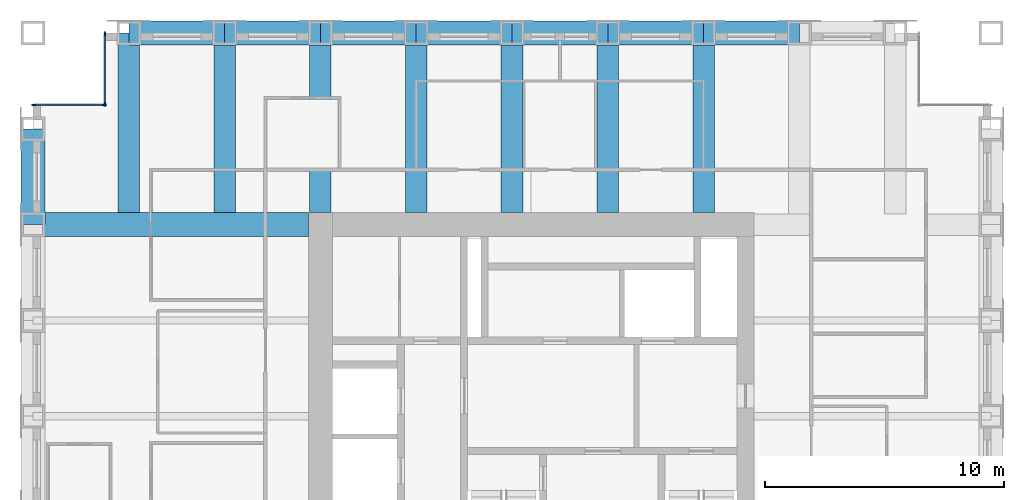
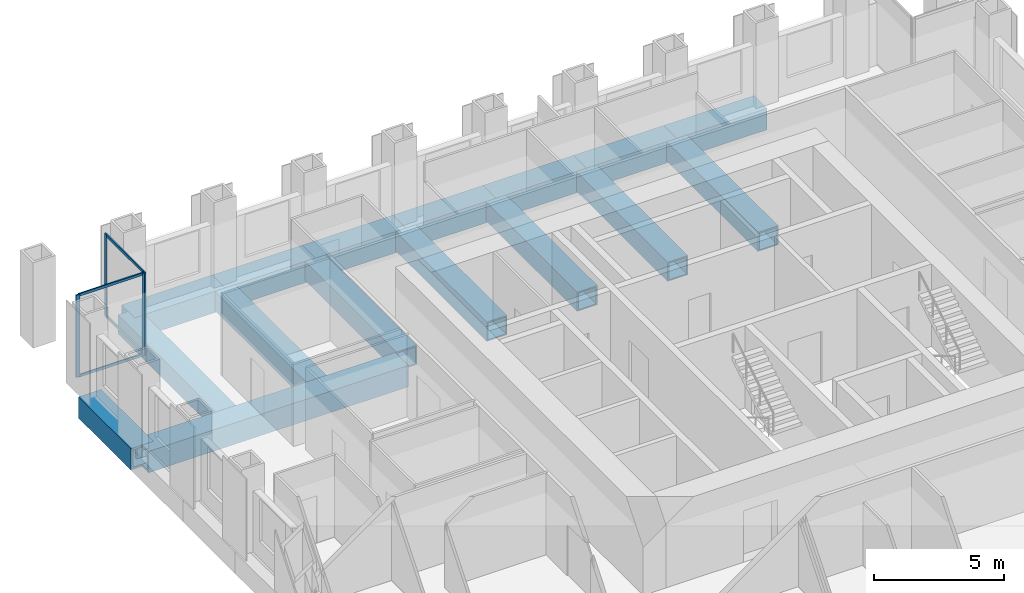
# One storey, part 5 of 13: 16 beams, 8 members, 2 elements without a shape of their own.
"""IFC4 building model written with IfcOpenShell, lengths in metres."""

import ifcopenshell
import ifcopenshell.guid

model = None  # the IFC model being written
_history = None  # IfcOwnerHistory: only IFC2X3 demands one
_inside = {}  # id of a spatial element -> (the spatial element, [elements in it])
_under = {}  # id of a project, library or spatial element -> (it, [spatial elements below it])
_declared = {}  # id of a project -> (the project, [libraries it declares])
_typed = {}  # id of a type object -> (the type object, [elements of that type])
_made_of = {}  # id of a material, layer set ... -> (it, [elements and type objects made of it])


def new_model(schema):
    """Start an empty IFC model of exactly this schema.

    Asked for "IFC4X3", IfcOpenShell would pick the latest addendum, in which some entities
    have other attributes; the version numbers below select the first issue.
    IFC2X3 requires an IfcOwnerHistory on every rooted entity: one is made here for all.
    """
    global model, _history
    if schema == "IFC4X3":
        model = ifcopenshell.file(schema_version=(4, 3, 0, 0))
    else:
        model = ifcopenshell.file(schema=schema)
    _inside.clear()
    _under.clear()
    _declared.clear()
    _typed.clear()
    _made_of.clear()
    _history = None
    if model.schema == "IFC2X3":
        org = make("IfcOrganization", Name="unknown")
        user = make(
            "IfcPersonAndOrganization",
            ThePerson=make("IfcPerson", FamilyName="unknown"),
            TheOrganization=org,
        )
        app = make(
            "IfcApplication",
            ApplicationDeveloper=org,
            Version="unknown",
            ApplicationFullName="unknown",
            ApplicationIdentifier="unknown",
        )
        _history = make(
            "IfcOwnerHistory",
            OwningUser=user,
            OwningApplication=app,
            ChangeAction="ADDED",
            CreationDate=0,
        )
    return model


def make(cls, **values):
    """One entity of the class cls with the attributes given. An attribute that is None is left unset."""
    return model.create_entity(
        cls, **{name: value for name, value in values.items() if value is not None}
    )


def rooted(cls, **values):
    """An entity with a GlobalId (a new one), such as an element, a storey or a relation."""
    return make(cls, GlobalId=ifcopenshell.guid.new(), OwnerHistory=_history, **values)


def si_unit(unit_type, name, prefix=None):
    """IfcSIUnit, for example si_unit("LENGTHUNIT", "METRE", prefix="MILLI")."""
    return make("IfcSIUnit", UnitType=unit_type, Prefix=prefix, Name=name)


def assignment(units):
    """IfcUnitAssignment: the units of a project."""
    return None if units is None else make("IfcUnitAssignment", Units=units)


def point(xyz):
    """IfcCartesianPoint."""
    return None if xyz is None else make("IfcCartesianPoint", Coordinates=xyz)


def direction(xyz):
    """IfcDirection."""
    return None if xyz is None else make("IfcDirection", DirectionRatios=xyz)


def frame(location, z_axis=None, x_axis=None):
    """IfcAxis2Placement3D, a coordinate frame: its origin and axes. An axis left out is left unset."""
    return make(
        "IfcAxis2Placement3D",
        Location=point(location),
        Axis=direction(z_axis),
        RefDirection=direction(x_axis),
    )


def frame_2d(location, x_axis=None):
    """IfcAxis2Placement2D, a coordinate frame in the plane: its origin and x axis."""
    return make(
        "IfcAxis2Placement2D", Location=point(location), RefDirection=direction(x_axis)
    )


def origin():
    """The frame at (0, 0, 0) with its axes left unset."""
    return frame((0.0, 0.0, 0.0))


def origin_2d():
    """The frame at (0, 0) in the plane with its x axis left unset."""
    return frame_2d((0.0, 0.0))


def place(relative_to, where):
    """IfcLocalPlacement: puts the frame where relative to a parent placement (None: the world)."""
    return make(
        "IfcLocalPlacement", PlacementRelTo=relative_to, RelativePlacement=where
    )


def context(
    kind, dimensions, precision=None, world=None, true_north=None, identifier=None
):
    """IfcGeometricRepresentationContext, for example the 3D "Model" context."""
    return make(
        "IfcGeometricRepresentationContext",
        ContextIdentifier=identifier,
        ContextType=kind,
        CoordinateSpaceDimension=dimensions,
        Precision=precision,
        WorldCoordinateSystem=world,
        TrueNorth=true_north,
    )


def subcontext(parent, identifier, kind, view, scale=None):
    """IfcGeometricRepresentationSubContext, for example "Body" below "Model"."""
    return make(
        "IfcGeometricRepresentationSubContext",
        ContextIdentifier=identifier,
        ContextType=kind,
        ParentContext=parent,
        TargetScale=scale,
        TargetView=view,
    )


def project(units=None, contexts=None):
    """IfcProject with its units and contexts."""
    return rooted(
        "IfcProject",
        Name="project",
        RepresentationContexts=contexts,
        UnitsInContext=assignment(units),
    )


def spatial(cls, under=None, at=None, **own):
    """A site, building, storey or space (cls), placed at a placement, below another one or the project."""
    s = rooted(cls, ObjectPlacement=at, **own)
    if under is not None:
        _under.setdefault(under.id(), (under, []))[1].append(s)
    return s


def profile(cls, at=None, kind="AREA", **sizes):
    """A parametric profile (cls). Its sizes go by their IFC names, for example OverallWidth=200.0."""
    return make(cls, ProfileType=kind, Position=at, **sizes)


def rectangle(**sizes):
    """IfcRectangleProfileDef."""
    return profile("IfcRectangleProfileDef", **sizes)


def hollow_rectangle(**sizes):
    """IfcRectangleHollowProfileDef."""
    return profile("IfcRectangleHollowProfileDef", **sizes)


def extrude(swept, where, along, depth):
    """IfcExtrudedAreaSolid: the profile swept, set in the frame where, extruded along a direction by depth."""
    return make(
        "IfcExtrudedAreaSolid",
        SweptArea=swept,
        Position=where,
        ExtrudedDirection=direction(along),
        Depth=depth,
    )


def shape(context_of_items, identifier, shape_type, items):
    """IfcShapeRepresentation: the items that make up one representation, for example the "Body"."""
    return make(
        "IfcShapeRepresentation",
        ContextOfItems=context_of_items,
        RepresentationIdentifier=identifier,
        RepresentationType=shape_type,
        Items=items,
    )


def material(Name=None, Category=None):
    """IfcMaterial."""
    return make("IfcMaterial", Name=Name, Category=Category)


def material_profile(
    of_material, cross_section, Name=None, Category=None, Priority=None
):
    """IfcMaterialProfile: a cross section and its material."""
    return make(
        "IfcMaterialProfile",
        Name=Name,
        Material=of_material,
        Profile=cross_section,
        Priority=Priority,
        Category=Category,
    )


def profile_set(profiles, Name=None, composite=None):
    """IfcMaterialProfileSet."""
    return make(
        "IfcMaterialProfileSet",
        Name=Name,
        MaterialProfiles=profiles,
        CompositeProfile=composite,
    )


def made_of(thing, what):
    """Note that an element or type object is made of a material, layer set ...; save() writes the relation."""
    if what is not None:
        _made_of.setdefault(what.id(), (what, []))[1].append(thing)
    return thing


def type_object(cls, material=None, **own):
    """A type object (cls), such as IfcWallType, which elements share."""
    return made_of(rooted(cls, **own), material)


def element(
    cls,
    number,
    at=None,
    inside=None,
    cuts=None,
    type_object=None,
    material=None,
    context=None,
    identifier="Body",
    shape_type=None,
    held_by="IfcProductDefinitionShape",
    body=None,
    shapes=None,
    **own,
):
    """One element of the class cls, such as IfcWall. Its Tag is "e" and its number.

    at: its placement. inside: the storey or other place that contains it. cuts: it is an
    opening in that element (IfcRelVoidsElement). A single representation is given by context,
    identifier, shape_type and body (its items); several are given by shapes. held_by: the class
    of the entity that holds the representations. save() writes the other relations.
    """
    e = rooted(cls, Tag="e%d" % number, ObjectPlacement=at, **own)
    if body is not None:
        shapes = [shape(context, identifier, shape_type, body)]
    if shapes is not None:
        e.Representation = make(held_by, Representations=shapes)
    if inside is not None:
        _inside.setdefault(inside.id(), (inside, []))[1].append(e)
    if cuts is not None:
        rooted(
            "IfcRelVoidsElement", RelatingBuildingElement=cuts, RelatedOpeningElement=e
        )
    if type_object is not None:
        _typed.setdefault(type_object.id(), (type_object, []))[1].append(e)
    return made_of(e, material)


def aggregate(whole, parts):
    """IfcRelAggregates: a whole, such as a stair, and the parts it consists of."""
    return rooted("IfcRelAggregates", RelatingObject=whole, RelatedObjects=parts)


def save(model, path):
    """Write the relations noted so far, then the file.

    IfcRelAggregates (storeys below a building ...), IfcRelContainedInSpatialStructure (elements
    in a storey), IfcRelDefinesByType, IfcRelAssociatesMaterial and IfcRelDeclares: one each for
    every whole, place, type object, material and project.
    """
    for whole, parts in _under.values():
        aggregate(whole, parts)
    for where, things in _inside.values():
        rooted(
            "IfcRelContainedInSpatialStructure",
            RelatedElements=things,
            RelatingStructure=where,
        )
    for kind, things in _typed.values():
        rooted("IfcRelDefinesByType", RelatedObjects=things, RelatingType=kind)
    for what, things in _made_of.values():
        rooted("IfcRelAssociatesMaterial", RelatedObjects=things, RelatingMaterial=what)
    for by, libraries in _declared.values():
        rooted("IfcRelDeclares", RelatingContext=by, RelatedDefinitions=libraries)
    model.write(path)


model = new_model("IFC4")

# Units and contexts
model_context = context("Model", 3, precision=1e-05, world=origin(), true_north=direction((0.0, 1.0)))
body_context = subcontext(model_context, "Body", "Model", "MODEL_VIEW")
ifc_project = project(units=[si_unit("LENGTHUNIT", "METRE"), si_unit("AREAUNIT", "SQUARE_METRE"), si_unit("VOLUMEUNIT", "CUBIC_METRE"), si_unit("PLANEANGLEUNIT", "RADIAN"), si_unit("MASSUNIT", "GRAM", prefix="KILO")], contexts=[model_context])

# Site, building, storey
site_placement = place(None, origin())
site = spatial("IfcSite", under=ifc_project, at=site_placement, CompositionType="ELEMENT")
building_placement = place(site_placement, origin())
building = spatial("IfcBuilding", under=site, at=building_placement, Name="Rimbunsela Tower", CompositionType="ELEMENT")
storey_placement = place(building_placement, frame((0.0, 0.0, 290.199951171875)))
storey = spatial("IfcBuildingStorey", under=building, at=storey_placement, Name="L70", CompositionType="ELEMENT", Elevation=290.199951171875)

# Beams
ifc_material_1 = material(Name="Steel BJ 55 (fy 410 MPa)", Category="steel")
ifc_material_profile_1 = material_profile(ifc_material_1, hollow_rectangle(XDim=1.0, YDim=1.0, WallThickness=0.10009765625, at=origin_2d()), Name="BOX 1000x1000x100")
ifc_profile_set_1 = profile_set([ifc_material_profile_1], Name="Steel BJ 55 (fy 410 MPa)")
beam_type_1 = type_object("IfcBeamType", Name="Beam BOX 1000x1000x100", PredefinedType="BEAM", material=ifc_profile_set_1)
beam_1_placement = place(storey_placement, frame((6.0, 36.0, -0.64990234375), z_axis=(0.0, 1.0, 0.0), x_axis=(-1.0, 0.0, 0.0)))
element("IfcBeam", 1, at=beam_1_placement, inside=storey, type_object=beam_type_1, Name="Beam B3 L70", PredefinedType="BEAM", context=body_context, shape_type="SweptSolid", body=[
    extrude(hollow_rectangle(XDim=1.0, YDim=1.0, WallThickness=0.10009765625, at=origin_2d()), origin(), (0.0, 0.0, 1.0), 4.0),
])
beam_2_placement = place(storey_placement, frame((6.0, 36.0, -0.64990234375), z_axis=(1.0, 0.0, 0.0), x_axis=(0.0, 1.0, 0.0)))
element("IfcBeam", 2, at=beam_2_placement, inside=storey, type_object=beam_type_1, Name="Beam B3 L70", PredefinedType="BEAM", context=body_context, shape_type="SweptSolid", body=[
    extrude(hollow_rectangle(XDim=1.0, YDim=1.0, WallThickness=0.10009765625, at=origin_2d()), origin(), (0.0, 0.0, 1.0), 11.5),
])
for number, where, z_axis, x_axis, name in (
    (3, (10.0, 44.0, -0.64990234375), (1.0, 0.0, 0.0), (0.0, 1.0, 0.0), "Beam B3 L70"),
    (4, (14.0, 44.0, -0.64990234375), (1.0, 0.0, 0.0), (0.0, 1.0, 0.0), "Beam B3 L70"),
    (5, (18.0, 44.0, -0.64990234375), (1.0, 0.0, 0.0), (0.0, 1.0, 0.0), "Beam B3 L70"),
    (6, (22.0, 44.0, -0.64990234375), (1.0, 0.0, 0.0), (0.0, 1.0, 0.0), "Beam B3 L70"),
    (7, (26.0, 44.0, -0.64990234375), (1.0, 0.0, 0.0), (0.0, 1.0, 0.0), "Beam B3 L70"),
    (8, (30.0, 44.0, -0.64990234375), (1.0, 0.0, 0.0), (0.0, 1.0, 0.0), "Beam B3 L70"),
    (9, (34.0, 44.0, -0.64990234375), (1.0, 0.0, 0.0), (0.0, 1.0, 0.0), "Beam B3 L70"),
):
    element("IfcBeam", number, at=place(storey_placement, frame(where, z_axis=z_axis, x_axis=x_axis)), inside=storey, type_object=beam_type_1, Name=name, PredefinedType="BEAM", context=body_context, shape_type="SweptSolid", body=[
        extrude(hollow_rectangle(XDim=1.0, YDim=1.0, WallThickness=0.10009765625, at=origin_2d()), origin(), (0.0, 0.0, 1.0), 4.0),
    ])
ifc_material_2 = material(Name="Steel BJ 55 (fy 410 MPa)", Category="steel")
ifc_material_profile_2 = material_profile(ifc_material_2, hollow_rectangle(XDim=0.89990234375, YDim=0.89990234375, WallThickness=0.06005859375, at=origin_2d()), Name="BOX 900x900x60")
ifc_profile_set_2 = profile_set([ifc_material_profile_2], Name="Steel BJ 55 (fy 410 MPa)")
beam_type_2 = type_object("IfcBeamType", Name="Beam BOX 900x900x60", PredefinedType="BEAM", material=ifc_profile_set_2)
for number, where, z_axis, x_axis, name in (
    (10, (10.0, 36.5, -0.599853515625), (0.0, 1.0, 0.0), (-1.0, 0.0, 0.0), "Beam B1 L70"),
    (11, (14.0, 36.5, -0.599853515625), (0.0, 1.0, 0.0), (-1.0, 0.0, 0.0), "Beam B1 L70"),
    (12, (18.0, 36.5, -0.599853515625), (0.0, 1.0, 0.0), (-1.0, 0.0, 0.0), "Beam B1 L70"),
    (13, (22.0, 36.5, -0.599853515625), (0.0, 1.0, 0.0), (-1.0, 0.0, 0.0), "Beam B1 L70"),
    (14, (26.0, 36.5, -0.599853515625), (0.0, 1.0, 0.0), (-1.0, 0.0, 0.0), "Beam B1 L70"),
    (15, (30.0, 36.5, -0.599853515625), (0.0, 1.0, 0.0), (-1.0, 0.0, 0.0), "Beam B1 L70"),
    (16, (34.0, 36.5, -0.599853515625), (0.0, 1.0, 0.0), (-1.0, 0.0, 0.0), "Beam B1 L70"),
):
    element("IfcBeam", number, at=place(storey_placement, frame(where, z_axis=z_axis, x_axis=x_axis)), inside=storey, type_object=beam_type_2, Name=name, PredefinedType="BEAM", context=body_context, shape_type="SweptSolid", body=[
        extrude(hollow_rectangle(XDim=0.89990234375, YDim=0.89990234375, WallThickness=0.06005859375, at=origin_2d()), origin(), (0.0, 0.0, 1.0), 7.5),
    ])

# Curtain wall, members
ifc_material_3 = material(Name="Aluminium curtain wall", Category="aluminium")
curtain_wall_type = type_object("IfcCurtainWallType", Name="Corner glazing", PredefinedType="USERDEFINED", material=ifc_material_3)
curtain_wall_1_placement = place(storey_placement, origin())
curtain_wall_1 = element("IfcCurtainWall", 17, at=curtain_wall_1_placement, inside=storey, type_object=curtain_wall_type, Name="Corner glazing L70", ObjectType="CORNER GLAZING", PredefinedType="USERDEFINED")
ifc_material_4 = material(Name="Aluminium mullion", Category="aluminium")
ifc_material_profile_3 = material_profile(ifc_material_4, rectangle(XDim=0.06005859375, YDim=0.159912109375, at=origin_2d()), Name="Mullion 60x160")
ifc_profile_set_3 = profile_set([ifc_material_profile_3], Name="Aluminium mullion")
member_type_1 = type_object("IfcMemberType", Name="Curtain wall mullion 60x160", PredefinedType="MULLION", material=ifc_profile_set_3)
member_1_placement = place(storey_placement, frame((9.0, 43.969970703125, 0.0), z_axis=(0.0, 0.0, 1.0), x_axis=(1.0, 0.0, 0.0)))
member_1 = element("IfcMember", 18, at=member_1_placement, type_object=member_type_1, Name="CW5 mullion 1", PredefinedType="MULLION", context=body_context, shape_type="SweptSolid", body=[
    extrude(rectangle(XDim=0.06005859375, YDim=0.159912109375, at=origin_2d()), origin(), (0.0, 0.0, 1.0), 3.85009765625),
])
member_2_placement = place(storey_placement, frame((9.0, 41.030029296875, 0.0), z_axis=(0.0, 0.0, 1.0), x_axis=(1.0, 0.0, 0.0)))
member_2 = element("IfcMember", 19, at=member_2_placement, type_object=member_type_1, Name="CW5 mullion 2", PredefinedType="MULLION", context=body_context, shape_type="SweptSolid", body=[
    extrude(rectangle(XDim=0.06005859375, YDim=0.159912109375, at=origin_2d()), origin(), (0.0, 0.0, 1.0), 3.85009765625),
])

curtain_wall_2_placement = place(storey_placement, origin())
curtain_wall_2 = element("IfcCurtainWall", 20, at=curtain_wall_2_placement, inside=storey, type_object=curtain_wall_type, Name="Corner glazing L70", ObjectType="CORNER GLAZING", PredefinedType="USERDEFINED")
member_3_placement = place(storey_placement, frame((8.969970703125, 41.0, 0.0), z_axis=(0.0, 0.0, 1.0), x_axis=(0.0, -1.0, 0.0)))
member_3 = element("IfcMember", 21, at=member_3_placement, type_object=member_type_1, Name="CW5 mullion 1", PredefinedType="MULLION", context=body_context, shape_type="SweptSolid", body=[
    extrude(rectangle(XDim=0.06005859375, YDim=0.159912109375, at=origin_2d()), origin(), (0.0, 0.0, 1.0), 3.85009765625),
])
member_4_placement = place(storey_placement, frame((6.030029296875, 41.0, 0.0), z_axis=(0.0, 0.0, 1.0), x_axis=(0.0, -1.0, 0.0)))
member_4 = element("IfcMember", 22, at=member_4_placement, type_object=member_type_1, Name="CW5 mullion 2", PredefinedType="MULLION", context=body_context, shape_type="SweptSolid", body=[
    extrude(rectangle(XDim=0.06005859375, YDim=0.159912109375, at=origin_2d()), origin(), (0.0, 0.0, 1.0), 3.85009765625),
])

# Member
ifc_material_5 = material(Name="Aluminium transom", Category="aluminium")
ifc_material_profile_4 = material_profile(ifc_material_5, rectangle(XDim=0.06005859375, YDim=0.1201171875, at=origin_2d()), Name="Transom 60x120")
ifc_profile_set_4 = profile_set([ifc_material_profile_4], Name="Aluminium transom")
member_type_2 = type_object("IfcMemberType", Name="Curtain wall transom 60x120", PredefinedType="USERDEFINED", material=ifc_profile_set_4)
member_5_placement = place(storey_placement, frame((9.0, 43.93994140625, 0.030029296875), z_axis=(0.0, -1.0, 0.0), x_axis=(1.0, 0.0, 0.0)))
member_5 = element("IfcMember", 23, at=member_5_placement, type_object=member_type_2, Name="CW5 transom 1.1", ObjectType="TRANSOM", PredefinedType="USERDEFINED", context=body_context, shape_type="SweptSolid", body=[
    extrude(rectangle(XDim=0.06005859375, YDim=0.1201171875, at=origin_2d()), origin(), (0.0, 0.0, 1.0), 2.8798828125),
])

member_6_placement = place(storey_placement, frame((9.0, 43.93994140625, 3.820068359375), z_axis=(0.0, -1.0, 0.0), x_axis=(1.0, 0.0, 0.0)))
member_6 = element("IfcMember", 24, at=member_6_placement, type_object=member_type_2, Name="CW5 transom 1.2", ObjectType="TRANSOM", PredefinedType="USERDEFINED", context=body_context, shape_type="SweptSolid", body=[
    extrude(rectangle(XDim=0.06005859375, YDim=0.1201171875, at=origin_2d()), origin(), (0.0, 0.0, 1.0), 2.8798828125),
])

aggregate(curtain_wall_1, [member_1, member_2, member_5, member_6])

member_7_placement = place(storey_placement, frame((8.93994140625, 41.0, 0.030029296875), z_axis=(-1.0, 0.0, 0.0), x_axis=(0.0, -1.0, 0.0)))
member_7 = element("IfcMember", 25, at=member_7_placement, type_object=member_type_2, Name="CW5 transom 1.1", ObjectType="TRANSOM", PredefinedType="USERDEFINED", context=body_context, shape_type="SweptSolid", body=[
    extrude(rectangle(XDim=0.06005859375, YDim=0.1201171875, at=origin_2d()), origin(), (0.0, 0.0, 1.0), 2.8798828125),
])

member_8_placement = place(storey_placement, frame((8.93994140625, 41.0, 3.820068359375), z_axis=(-1.0, 0.0, 0.0), x_axis=(0.0, -1.0, 0.0)))
member_8 = element("IfcMember", 26, at=member_8_placement, type_object=member_type_2, Name="CW5 transom 1.2", ObjectType="TRANSOM", PredefinedType="USERDEFINED", context=body_context, shape_type="SweptSolid", body=[
    extrude(rectangle(XDim=0.06005859375, YDim=0.1201171875, at=origin_2d()), origin(), (0.0, 0.0, 1.0), 2.8798828125),
])

aggregate(curtain_wall_2, [member_3, member_4, member_7, member_8])

save(model, "model.ifc")
